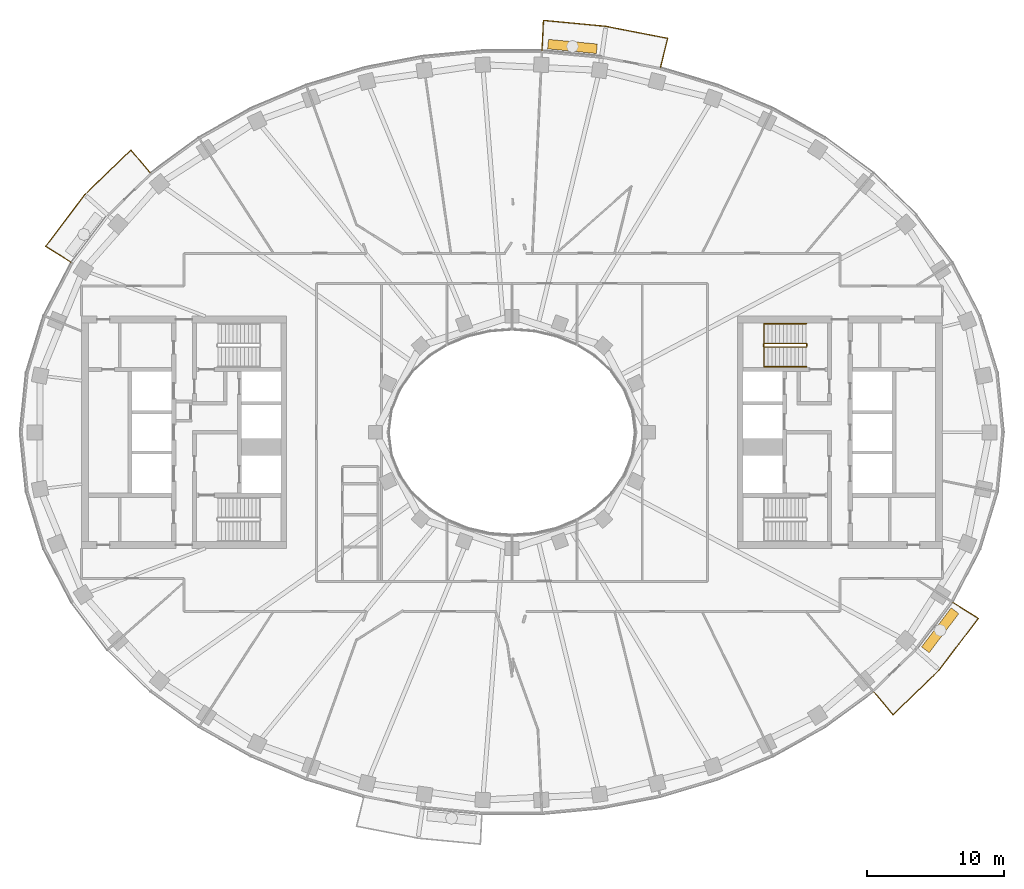
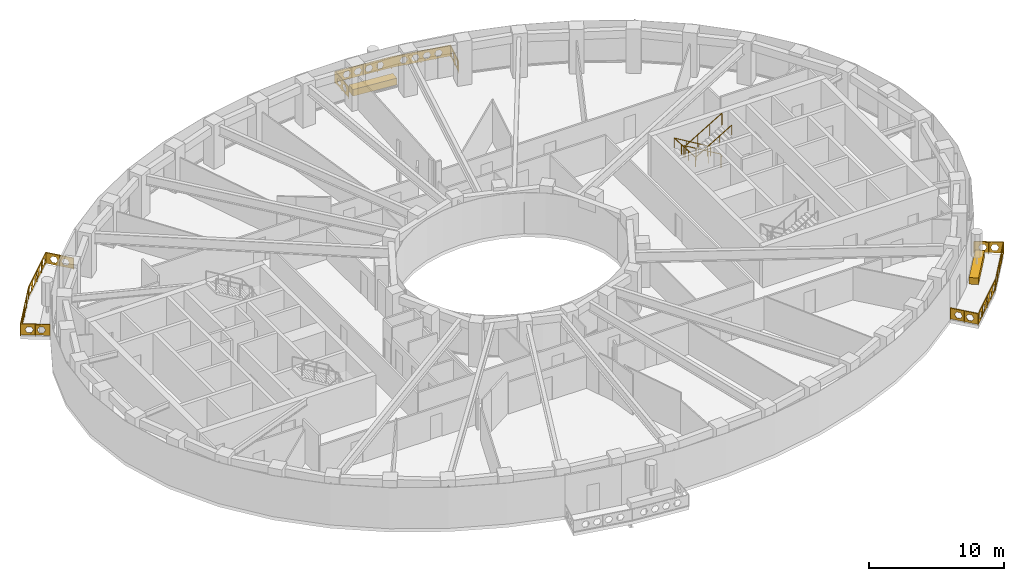
# One storey, part 15 of 16: 5 railings, 2 coverings.
"""IFC4 building model written with IfcOpenShell, lengths in metres."""

from ifc_helpers import new_model, si_unit, direction, frame, origin, origin_2d, place, context, subcontext, project, spatial, polyline, rectangle, outline, extrude, material, type_object, element, save


model = new_model("IFC4")

# Units and contexts
model_context = context("Model", 3, precision=1e-05, world=origin(), true_north=direction((0.0, 1.0)))
body_context = subcontext(model_context, "Body", "Model", "MODEL_VIEW")
ifc_project = project(units=[si_unit("LENGTHUNIT", "METRE"), si_unit("AREAUNIT", "SQUARE_METRE"), si_unit("VOLUMEUNIT", "CUBIC_METRE"), si_unit("PLANEANGLEUNIT", "RADIAN"), si_unit("MASSUNIT", "GRAM", prefix="KILO")], contexts=[model_context])

# Site, building, storey
site_placement = place(None, origin())
site = spatial("IfcSite", under=ifc_project, at=site_placement, CompositionType="ELEMENT")
building_placement = place(site_placement, origin())
building = spatial("IfcBuilding", under=site, at=building_placement, Name="Noorbagh Ring Tower", CompositionType="ELEMENT")
storey_placement = place(building_placement, frame((0.0, 0.0, 237.5)))
storey = spatial("IfcBuildingStorey", under=building, at=storey_placement, Name="L49", CompositionType="ELEMENT", Elevation=237.5)

# Railings
ifc_material_1 = material(Name="Stainless steel", Category="steel")
railing_type_1 = type_object("IfcRailingType", Name="CORE-STAIR-GUARD", PredefinedType="GUARDRAIL", material=ifc_material_1)
railing_1_placement = place(storey_placement, frame((21.580078125, 6.449951171875, 0.0)))
element("IfcRailing", 1, at=railing_1_placement, inside=storey, type_object=railing_type_1, Name="L49 ST3 stair guard", PredefinedType="GUARDRAIL", context=body_context, shape_type="SweptSolid", body=[
    extrude(rectangle(XDim=0.048095703125, YDim=0.048095703125, at=origin_2d()), frame((0.0, 0.0, 1.076171875), z_axis=(0.0, -1.0, 0.0), x_axis=(1.0, 0.0, 0.0)), (0.0, 0.0, 1.0), 0.14990234375),
    extrude(rectangle(XDim=0.048095703125, YDim=0.048095703125, at=origin_2d()), frame((0.0, -0.14990234375, 1.076171875), z_axis=(-0.188775798145, 0.754182335027, 0.628945707965), x_axis=(-0.970072785993, -0.242814311512, 0.0)), (0.0, 0.0, 1.0), 0.26513671875),
    extrude(rectangle(XDim=0.048095703125, YDim=0.048095703125, at=origin_2d()), frame((-0.050048828125, 0.050048828125, 1.24267578125), z_axis=(-0.859308565015, 0.0, 0.511457515432), x_axis=(0.0, -1.0, 0.0)), (0.0, 0.0, 1.0), 3.58447265625),
    extrude(rectangle(XDim=0.048095703125, YDim=0.048095703125, at=origin_2d()), frame((-3.130126953125, 0.050048828125, 3.076171875), z_axis=(-0.707106781187, -0.707106781187, 0.0), x_axis=(0.707106781187, -0.707106781187, 0.0)), (0.0, 0.0, 1.0), 0.07080078125),
    extrude(rectangle(XDim=0.048095703125, YDim=0.048095703125, at=origin_2d()), frame((-3.18017578125, 0.0, 3.076171875), z_axis=(0.0, -1.0, 0.0), x_axis=(1.0, 0.0, 0.0)), (0.0, 0.0, 1.0), 0.14990234375),
    extrude(rectangle(XDim=0.048095703125, YDim=0.048095703125, at=origin_2d()), frame((-3.18017578125, -0.14990234375, 3.076171875), z_axis=(0.27628659633, -0.27628659633, 0.920506074601), x_axis=(0.707106781187, 0.707106781187, 0.0)), (0.0, 0.0, 1.0), 0.18115234375),
    extrude(rectangle(XDim=0.048095703125, YDim=0.048095703125, at=origin_2d()), frame((-3.130126953125, -0.199951171875, 3.24267578125), z_axis=(0.859308565015, 0.0, 0.511457515432), x_axis=(0.0, 1.0, 0.0)), (0.0, 0.0, 1.0), 3.58447265625),
    extrude(rectangle(XDim=0.0419921875, YDim=0.0419921875, at=origin_2d()), origin(), (0.0, 0.0, 1.0), 1.052001953125),
    extrude(rectangle(XDim=0.0419921875, YDim=0.0419921875, at=origin_2d()), frame((-1.07666015625, 0.050048828125, 0.77783203125)), (0.0, 0.0, 1.0), 1.052001953125),
    extrude(rectangle(XDim=0.0419921875, YDim=0.0419921875, at=origin_2d()), frame((-2.103515625, 0.050048828125, 1.388916015625)), (0.0, 0.0, 1.0), 1.052001953125),
    extrude(rectangle(XDim=0.0419921875, YDim=0.0419921875, at=origin_2d()), frame((-3.130126953125, 0.050048828125, 2.0)), (0.0, 0.0, 1.0), 1.052001953125),
    extrude(rectangle(XDim=0.0419921875, YDim=0.0419921875, at=origin_2d()), frame((-3.130126953125, -0.199951171875, 2.166748046875)), (0.0, 0.0, 1.0), 1.052001953125),
    extrude(rectangle(XDim=0.0419921875, YDim=0.0419921875, at=origin_2d()), frame((-2.103515625, -0.199951171875, 2.77783203125)), (0.0, 0.0, 1.0), 1.052001953125),
    extrude(rectangle(XDim=0.0419921875, YDim=0.0419921875, at=origin_2d()), frame((-1.07666015625, -0.199951171875, 3.388916015625)), (0.0, 0.0, 1.0), 1.052001953125),
    extrude(rectangle(XDim=0.0419921875, YDim=0.0419921875, at=origin_2d()), frame((-0.050048828125, -0.199951171875, 4.0)), (0.0, 0.0, 1.0), 1.052001953125),
])
ifc_material_2 = material(Name="Stainless steel", Category="steel")
railing_type_2 = type_object("IfcRailingType", Name="CORE-STAIR-HANDRAIL", PredefinedType="HANDRAIL", material=ifc_material_2)
railing_2_placement = place(storey_placement, frame((21.530029296875, 7.949951171875, 0.166748046875)))
element("IfcRailing", 2, at=railing_2_placement, inside=storey, type_object=railing_type_2, Name="L49 ST3 stair handrail", PredefinedType="HANDRAIL", context=body_context, shape_type="SweptSolid", body=[
    extrude(rectangle(XDim=0.048095703125, YDim=0.048095703125, at=origin_2d()), frame((0.0, 0.0, 0.8759765625), z_axis=(-0.859308565015, 0.0, 0.511457515432), x_axis=(0.0, -1.0, 0.0)), (0.0, 0.0, 1.0), 3.58447265625),
    extrude(rectangle(XDim=0.048095703125, YDim=0.048095703125, at=origin_2d()), frame((-3.080078125, 0.0, 2.708984375), z_axis=(0.0, -0.998601747152, 0.052863509014), x_axis=(1.0, 0.0, 0.0)), (0.0, 0.0, 1.0), 3.154296875),
    extrude(rectangle(XDim=0.048095703125, YDim=0.048095703125, at=origin_2d()), frame((-3.080078125, -3.14990234375, 2.8759765625), z_axis=(0.859308565015, 0.0, 0.511457515432), x_axis=(0.0, 1.0, 0.0)), (0.0, 0.0, 1.0), 3.58447265625),
    extrude(rectangle(XDim=0.0419921875, YDim=0.0419921875, at=origin_2d()), origin(), (0.0, 0.0, 1.0), 0.851806640625),
    extrude(rectangle(XDim=0.0419921875, YDim=0.0419921875, at=origin_2d()), frame((-1.026611328125, 0.0, 0.611083984375)), (0.0, 0.0, 1.0), 0.851806640625),
    extrude(rectangle(XDim=0.0419921875, YDim=0.0419921875, at=origin_2d()), frame((-2.053466796875, 0.0, 1.22216796875)), (0.0, 0.0, 1.0), 0.851806640625),
    extrude(rectangle(XDim=0.0419921875, YDim=0.0419921875, at=origin_2d()), frame((-3.080078125, 0.0, 1.833251953125)), (0.0, 0.0, 1.0), 0.851806640625),
    extrude(rectangle(XDim=0.0419921875, YDim=0.0419921875, at=origin_2d()), frame((-3.080078125, -1.050048828125, 1.888916015625)), (0.0, 0.0, 1.0), 0.851806640625),
    extrude(rectangle(XDim=0.0419921875, YDim=0.0419921875, at=origin_2d()), frame((-3.080078125, -2.099853515625, 1.9443359375)), (0.0, 0.0, 1.0), 0.851806640625),
    extrude(rectangle(XDim=0.0419921875, YDim=0.0419921875, at=origin_2d()), frame((-3.080078125, -3.14990234375, 2.0)), (0.0, 0.0, 1.0), 0.851806640625),
    extrude(rectangle(XDim=0.0419921875, YDim=0.0419921875, at=origin_2d()), frame((-2.053466796875, -3.14990234375, 2.611083984375)), (0.0, 0.0, 1.0), 0.851806640625),
    extrude(rectangle(XDim=0.0419921875, YDim=0.0419921875, at=origin_2d()), frame((-1.026611328125, -3.14990234375, 3.22216796875)), (0.0, 0.0, 1.0), 0.851806640625),
    extrude(rectangle(XDim=0.0419921875, YDim=0.0419921875, at=origin_2d()), frame((0.0, -3.14990234375, 3.833251953125)), (0.0, 0.0, 1.0), 0.851806640625),
])
ifc_material_3 = material(Name="Steel S275 black powder-coated", Category="steel")
railing_type_3 = type_object("IfcRailingType", Name="ENV-GUARD", PredefinedType="GUARDRAIL", material=ifc_material_3)
railing_3_placement = place(storey_placement, frame((10.865234375, 26.6943359375, 0.0)))
element("IfcRailing", 3, at=railing_3_placement, inside=storey, type_object=railing_type_3, Name="Balcony guard BN03", PredefinedType="GUARDRAIL", context=body_context, shape_type="SweptSolid", body=[
    extrude(rectangle(XDim=0.048095703125, YDim=0.048095703125, at=origin_2d()), frame((0.0, 0.0, 1.076171875), z_axis=(0.239848558412, 0.970810315679, 0.0), x_axis=(-0.970810315679, 0.239848558412, 0.0)), (0.0, 0.0, 1.0), 2.20263671875),
    extrude(rectangle(XDim=0.048095703125, YDim=0.048095703125, at=origin_2d()), frame((0.5283203125, 2.138427734375, 1.076171875), z_axis=(-0.981625049064, 0.1908199755, 0.0), x_axis=(-0.1908199755, -0.981625049064, 0.0)), (0.0, 0.0, 1.0), 4.603271484375),
    extrude(rectangle(XDim=0.048095703125, YDim=0.048095703125, at=origin_2d()), frame((-3.990478515625, 3.016845703125, 1.076171875), z_axis=(-0.995477555764, 0.094997031379, 0.0), x_axis=(-0.094997031379, -0.995477555764, 0.0)), (0.0, 0.0, 1.0), 4.59765625),
    extrude(rectangle(XDim=0.048095703125, YDim=0.048095703125, at=origin_2d()), frame((-8.5673828125, 3.45361328125, 1.076171875), z_axis=(-0.047554616162, -0.998868639252, 0.0), x_axis=(0.998868639252, -0.047554616162, 0.0)), (0.0, 0.0, 1.0), 2.202392578125),
    extrude(rectangle(XDim=0.0419921875, YDim=0.0419921875, at=origin_2d()), origin(), (0.0, 0.0, 1.0), 1.052001953125),
    extrude(rectangle(XDim=0.0419921875, YDim=0.0419921875, at=origin_2d()), frame((0.26416015625, 1.0693359375, 0.0)), (0.0, 0.0, 1.0), 1.052001953125),
    extrude(rectangle(XDim=0.0419921875, YDim=0.0419921875, at=origin_2d()), frame((0.5283203125, 2.138427734375, 0.0)), (0.0, 0.0, 1.0), 1.052001953125),
    extrude(rectangle(XDim=0.0419921875, YDim=0.0419921875, at=origin_2d()), frame((-0.601318359375, 2.35791015625, 0.0)), (0.0, 0.0, 1.0), 1.052001953125),
    extrude(rectangle(XDim=0.0419921875, YDim=0.0419921875, at=origin_2d()), frame((-1.73095703125, 2.57763671875, 0.0)), (0.0, 0.0, 1.0), 1.052001953125),
    extrude(rectangle(XDim=0.0419921875, YDim=0.0419921875, at=origin_2d()), frame((-2.86083984375, 2.79736328125, 0.0)), (0.0, 0.0, 1.0), 1.052001953125),
    extrude(rectangle(XDim=0.0419921875, YDim=0.0419921875, at=origin_2d()), frame((-3.990478515625, 3.016845703125, 0.0)), (0.0, 0.0, 1.0), 1.052001953125),
    extrude(rectangle(XDim=0.0419921875, YDim=0.0419921875, at=origin_2d()), frame((-5.134765625, 3.1259765625, 0.0)), (0.0, 0.0, 1.0), 1.052001953125),
    extrude(rectangle(XDim=0.0419921875, YDim=0.0419921875, at=origin_2d()), frame((-6.27880859375, 3.2353515625, 0.0)), (0.0, 0.0, 1.0), 1.052001953125),
    extrude(rectangle(XDim=0.0419921875, YDim=0.0419921875, at=origin_2d()), frame((-7.423095703125, 3.344482421875, 0.0)), (0.0, 0.0, 1.0), 1.052001953125),
    extrude(rectangle(XDim=0.0419921875, YDim=0.0419921875, at=origin_2d()), frame((-8.5673828125, 3.45361328125, 0.0)), (0.0, 0.0, 1.0), 1.052001953125),
    extrude(rectangle(XDim=0.0419921875, YDim=0.0419921875, at=origin_2d()), frame((-8.61962890625, 2.353515625, 0.0)), (0.0, 0.0, 1.0), 1.052001953125),
    extrude(rectangle(XDim=0.0419921875, YDim=0.0419921875, at=origin_2d()), frame((-8.672119140625, 1.253662109375, 0.0)), (0.0, 0.0, 1.0), 1.052001953125),
    extrude(outline(polyline([(0.0, 0.10009765625), (2.20263671875, 0.10009765625), (2.20263671875, 1.031982421875), (0.0, 1.031982421875), (0.0, 0.10009765625)]), holes=[polyline([(0.96142578125, 0.56591796875), (0.806396484375, 0.83447265625), (0.496337890625, 0.83447265625), (0.34130859375, 0.56591796875), (0.496337890625, 0.297607421875), (0.806396484375, 0.297607421875), (0.96142578125, 0.56591796875)]), polyline([(1.861328125, 0.56591796875), (1.706298828125, 0.83447265625), (1.396240234375, 0.83447265625), (1.241455078125, 0.56591796875), (1.396240234375, 0.297607421875), (1.706298828125, 0.297607421875), (1.861328125, 0.56591796875)])]), frame((-0.009765625, 0.00244140625, 0.0), z_axis=(0.970810315679, -0.239848558412, 0.0), x_axis=(0.239848558412, 0.970810315679, 0.0)), (0.0, 0.0, 1.0), 0.02001953125),
    extrude(outline(polyline([(0.0, 0.10009765625), (4.603271484375, 0.10009765625), (4.603271484375, 1.031982421875), (0.0, 1.031982421875), (0.0, 0.10009765625)]), holes=[polyline([(1.26171875, 0.56591796875), (1.106689453125, 0.83447265625), (0.796630859375, 0.83447265625), (0.6416015625, 0.56591796875), (0.796630859375, 0.297607421875), (1.106689453125, 0.297607421875), (1.26171875, 0.56591796875)]), polyline([(2.16162109375, 0.56591796875), (2.006591796875, 0.83447265625), (1.69677734375, 0.83447265625), (1.541748046875, 0.56591796875), (1.69677734375, 0.297607421875), (2.006591796875, 0.297607421875), (2.16162109375, 0.56591796875)]), polyline([(3.061767578125, 0.56591796875), (2.90673828125, 0.83447265625), (2.5966796875, 0.83447265625), (2.441650390625, 0.56591796875), (2.5966796875, 0.297607421875), (2.90673828125, 0.297607421875), (3.061767578125, 0.56591796875)]), polyline([(3.961669921875, 0.56591796875), (3.806640625, 0.83447265625), (3.49658203125, 0.83447265625), (3.341796875, 0.56591796875), (3.49658203125, 0.297607421875), (3.806640625, 0.297607421875), (3.961669921875, 0.56591796875)])]), frame((0.5263671875, 2.128662109375, 0.0), z_axis=(0.1908199755, 0.981625049064, 0.0), x_axis=(-0.981625049064, 0.1908199755, 0.0)), (0.0, 0.0, 1.0), 0.02001953125),
    extrude(outline(polyline([(0.0, 0.10009765625), (4.59765625, 0.10009765625), (4.59765625, 1.031982421875), (0.0, 1.031982421875), (0.0, 0.10009765625)]), holes=[polyline([(1.2587890625, 0.56591796875), (1.103759765625, 0.83447265625), (0.7939453125, 0.83447265625), (0.638916015625, 0.56591796875), (0.7939453125, 0.297607421875), (1.103759765625, 0.297607421875), (1.2587890625, 0.56591796875)]), polyline([(2.158935546875, 0.56591796875), (2.00390625, 0.83447265625), (1.69384765625, 0.83447265625), (1.538818359375, 0.56591796875), (1.69384765625, 0.297607421875), (2.00390625, 0.297607421875), (2.158935546875, 0.56591796875)]), polyline([(3.058837890625, 0.56591796875), (2.90380859375, 0.83447265625), (2.59375, 0.83447265625), (2.43896484375, 0.56591796875), (2.59375, 0.297607421875), (2.90380859375, 0.297607421875), (3.058837890625, 0.56591796875)]), polyline([(3.958740234375, 0.56591796875), (3.803955078125, 0.83447265625), (3.493896484375, 0.83447265625), (3.3388671875, 0.56591796875), (3.493896484375, 0.297607421875), (3.803955078125, 0.297607421875), (3.958740234375, 0.56591796875)])]), frame((-3.991455078125, 3.0068359375, 0.0), z_axis=(0.094997031379, 0.995477555764, 0.0), x_axis=(-0.995477555764, 0.094997031379, 0.0)), (0.0, 0.0, 1.0), 0.02001953125),
    extrude(outline(polyline([(0.0, 0.10009765625), (2.202392578125, 0.10009765625), (2.202392578125, 1.031982421875), (0.0, 1.031982421875), (0.0, 0.10009765625)]), holes=[polyline([(0.961181640625, 0.56591796875), (0.80615234375, 0.83447265625), (0.496337890625, 0.83447265625), (0.34130859375, 0.56591796875), (0.496337890625, 0.297607421875), (0.80615234375, 0.297607421875), (0.961181640625, 0.56591796875)]), polyline([(1.861328125, 0.56591796875), (1.706298828125, 0.83447265625), (1.396240234375, 0.83447265625), (1.2412109375, 0.56591796875), (1.396240234375, 0.297607421875), (1.706298828125, 0.297607421875), (1.861328125, 0.56591796875)])]), frame((-8.557373046875, 3.453125, 0.0), z_axis=(-0.998868639252, 0.047554616162, 0.0), x_axis=(-0.047554616162, -0.998868639252, 0.0)), (0.0, 0.0, 1.0), 0.02001953125),
])
railing_4_placement = place(storey_placement, frame((-26.463134765625, 18.983154296875, 0.0)))
element("IfcRailing", 4, at=railing_4_placement, inside=storey, type_object=railing_type_3, Name="Balcony guard BN06", PredefinedType="GUARDRAIL", context=body_context, shape_type="SweptSolid", body=[
    extrude(rectangle(XDim=0.048095703125, YDim=0.048095703125, at=origin_2d()), frame((0.0, 0.0, 1.076171875), z_axis=(-0.646413574048, 0.762987215677, 0.0), x_axis=(-0.762987215677, -0.646413574048, 0.0)), (0.0, 0.0, 1.0), 2.205322265625),
    extrude(rectangle(XDim=0.048095703125, YDim=0.048095703125, at=origin_2d()), frame((-1.425537109375, 1.6826171875, 1.076171875), z_axis=(-0.717212632946, -0.696854388766, 0.0), x_axis=(0.696854388766, -0.717212632946, 0.0)), (0.0, 0.0, 1.0), 4.700927734375),
    extrude(rectangle(XDim=0.048095703125, YDim=0.048095703125, at=origin_2d()), frame((-4.797119140625, -1.59326171875, 1.076171875), z_axis=(-0.604001613322, -0.796983093362, 0.0), x_axis=(0.796983093362, -0.604001613322, 0.0)), (0.0, 0.0, 1.0), 4.7353515625),
    extrude(rectangle(XDim=0.048095703125, YDim=0.048095703125, at=origin_2d()), frame((-7.6572265625, -5.3671875, 1.076171875), z_axis=(0.844852397829, -0.534999463442, 0.0), x_axis=(0.534999463442, 0.844852397829, 0.0)), (0.0, 0.0, 1.0), 2.207763671875),
    extrude(rectangle(XDim=0.0419921875, YDim=0.0419921875, at=origin_2d()), origin(), (0.0, 0.0, 1.0), 1.052001953125),
    extrude(rectangle(XDim=0.0419921875, YDim=0.0419921875, at=origin_2d()), frame((-0.712890625, 0.84130859375, 0.0)), (0.0, 0.0, 1.0), 1.052001953125),
    extrude(rectangle(XDim=0.0419921875, YDim=0.0419921875, at=origin_2d()), frame((-1.425537109375, 1.6826171875, 0.0)), (0.0, 0.0, 1.0), 1.052001953125),
    extrude(rectangle(XDim=0.0419921875, YDim=0.0419921875, at=origin_2d()), frame((-2.2685546875, 0.86376953125, 0.0)), (0.0, 0.0, 1.0), 1.052001953125),
    extrude(rectangle(XDim=0.0419921875, YDim=0.0419921875, at=origin_2d()), frame((-3.111328125, 0.044677734375, 0.0)), (0.0, 0.0, 1.0), 1.052001953125),
    extrude(rectangle(XDim=0.0419921875, YDim=0.0419921875, at=origin_2d()), frame((-3.9541015625, -0.7744140625, 0.0)), (0.0, 0.0, 1.0), 1.052001953125),
    extrude(rectangle(XDim=0.0419921875, YDim=0.0419921875, at=origin_2d()), frame((-4.797119140625, -1.59326171875, 0.0)), (0.0, 0.0, 1.0), 1.052001953125),
    extrude(rectangle(XDim=0.0419921875, YDim=0.0419921875, at=origin_2d()), frame((-5.51220703125, -2.53662109375, 0.0)), (0.0, 0.0, 1.0), 1.052001953125),
    extrude(rectangle(XDim=0.0419921875, YDim=0.0419921875, at=origin_2d()), frame((-6.22705078125, -3.480224609375, 0.0)), (0.0, 0.0, 1.0), 1.052001953125),
    extrude(rectangle(XDim=0.0419921875, YDim=0.0419921875, at=origin_2d()), frame((-6.942138671875, -4.423828125, 0.0)), (0.0, 0.0, 1.0), 1.052001953125),
    extrude(rectangle(XDim=0.0419921875, YDim=0.0419921875, at=origin_2d()), frame((-7.6572265625, -5.3671875, 0.0)), (0.0, 0.0, 1.0), 1.052001953125),
    extrude(rectangle(XDim=0.0419921875, YDim=0.0419921875, at=origin_2d()), frame((-6.724609375, -5.957763671875, 0.0)), (0.0, 0.0, 1.0), 1.052001953125),
    extrude(rectangle(XDim=0.0419921875, YDim=0.0419921875, at=origin_2d()), frame((-5.7919921875, -6.54833984375, 0.0)), (0.0, 0.0, 1.0), 1.052001953125),
    extrude(outline(polyline([(0.0, 0.10009765625), (2.205322265625, 0.10009765625), (2.205322265625, 1.031982421875), (0.0, 1.031982421875), (0.0, 0.10009765625)]), holes=[polyline([(0.962646484375, 0.56591796875), (0.8076171875, 0.83447265625), (0.49755859375, 0.83447265625), (0.342529296875, 0.56591796875), (0.49755859375, 0.297607421875), (0.8076171875, 0.297607421875), (0.962646484375, 0.56591796875)]), polyline([(1.862548828125, 0.56591796875), (1.707763671875, 0.83447265625), (1.397705078125, 0.83447265625), (1.24267578125, 0.56591796875), (1.397705078125, 0.297607421875), (1.707763671875, 0.297607421875), (1.862548828125, 0.56591796875)])]), frame((-0.007568359375, -0.00634765625, 0.0), z_axis=(0.762987215677, 0.646413574048, 0.0), x_axis=(-0.646413574048, 0.762987215677, 0.0)), (0.0, 0.0, 1.0), 0.02001953125),
    extrude(outline(polyline([(0.0, 0.10009765625), (4.700927734375, 0.10009765625), (4.700927734375, 1.031982421875), (0.0, 1.031982421875), (0.0, 0.10009765625)]), holes=[polyline([(0.860595703125, 0.56591796875), (0.70556640625, 0.83447265625), (0.3955078125, 0.83447265625), (0.240478515625, 0.56591796875), (0.3955078125, 0.297607421875), (0.70556640625, 0.297607421875), (0.860595703125, 0.56591796875)]), polyline([(1.760498046875, 0.56591796875), (1.60546875, 0.83447265625), (1.29541015625, 0.83447265625), (1.140380859375, 0.56591796875), (1.29541015625, 0.297607421875), (1.60546875, 0.297607421875), (1.760498046875, 0.56591796875)]), polyline([(2.660400390625, 0.56591796875), (2.50537109375, 0.83447265625), (2.195556640625, 0.83447265625), (2.04052734375, 0.56591796875), (2.195556640625, 0.297607421875), (2.50537109375, 0.297607421875), (2.660400390625, 0.56591796875)]), polyline([(3.560546875, 0.56591796875), (3.405517578125, 0.83447265625), (3.095458984375, 0.83447265625), (2.9404296875, 0.56591796875), (3.095458984375, 0.297607421875), (3.405517578125, 0.297607421875), (3.560546875, 0.56591796875)]), polyline([(4.46044921875, 0.56591796875), (4.305419921875, 0.83447265625), (3.995361328125, 0.83447265625), (3.840576171875, 0.56591796875), (3.995361328125, 0.297607421875), (4.305419921875, 0.297607421875), (4.46044921875, 0.56591796875)])]), frame((-1.41845703125, 1.675537109375, 0.0), z_axis=(-0.696854388766, 0.717212632946, 0.0), x_axis=(-0.717212632946, -0.696854388766, 0.0)), (0.0, 0.0, 1.0), 0.02001953125),
    extrude(outline(polyline([(0.0, 0.10009765625), (4.7353515625, 0.10009765625), (4.7353515625, 1.031982421875), (0.0, 1.031982421875), (0.0, 0.10009765625)]), holes=[polyline([(0.877685546875, 0.56591796875), (0.72265625, 0.83447265625), (0.41259765625, 0.83447265625), (0.257568359375, 0.56591796875), (0.41259765625, 0.297607421875), (0.72265625, 0.297607421875), (0.877685546875, 0.56591796875)]), polyline([(1.777587890625, 0.56591796875), (1.62255859375, 0.83447265625), (1.312744140625, 0.83447265625), (1.15771484375, 0.56591796875), (1.312744140625, 0.297607421875), (1.62255859375, 0.297607421875), (1.777587890625, 0.56591796875)]), polyline([(2.677734375, 0.56591796875), (2.522705078125, 0.83447265625), (2.212646484375, 0.83447265625), (2.0576171875, 0.56591796875), (2.212646484375, 0.297607421875), (2.522705078125, 0.297607421875), (2.677734375, 0.56591796875)]), polyline([(3.57763671875, 0.56591796875), (3.422607421875, 0.83447265625), (3.112548828125, 0.83447265625), (2.95751953125, 0.56591796875), (3.112548828125, 0.297607421875), (3.422607421875, 0.297607421875), (3.57763671875, 0.56591796875)]), polyline([(4.4775390625, 0.56591796875), (4.32275390625, 0.83447265625), (4.0126953125, 0.83447265625), (3.857666015625, 0.56591796875), (4.0126953125, 0.297607421875), (4.32275390625, 0.297607421875), (4.4775390625, 0.56591796875)])]), frame((-4.7890625, -1.599365234375, 0.0), z_axis=(-0.796983093362, 0.604001613322, 0.0), x_axis=(-0.604001613322, -0.796983093362, 0.0)), (0.0, 0.0, 1.0), 0.02001953125),
    extrude(outline(polyline([(0.0, 0.10009765625), (2.207763671875, 0.10009765625), (2.207763671875, 1.031982421875), (0.0, 1.031982421875), (0.0, 0.10009765625)]), holes=[polyline([(0.9638671875, 0.56591796875), (0.808837890625, 0.83447265625), (0.498779296875, 0.83447265625), (0.343994140625, 0.56591796875), (0.498779296875, 0.297607421875), (0.808837890625, 0.297607421875), (0.9638671875, 0.56591796875)]), polyline([(1.86376953125, 0.56591796875), (1.708984375, 0.83447265625), (1.39892578125, 0.83447265625), (1.243896484375, 0.56591796875), (1.39892578125, 0.297607421875), (1.708984375, 0.297607421875), (1.86376953125, 0.56591796875)])]), frame((-7.65185546875, -5.358642578125, 0.0), z_axis=(-0.534999463442, -0.844852397829, 0.0), x_axis=(0.844852397829, -0.534999463442, 0.0)), (0.0, 0.0, 1.0), 0.02001953125),
])
railing_5_placement = place(storey_placement, frame((26.463134765625, -18.983154296875, 0.0)))
element("IfcRailing", 5, at=railing_5_placement, inside=storey, type_object=railing_type_3, Name="Balcony guard BS06", PredefinedType="GUARDRAIL", context=body_context, shape_type="SweptSolid", body=[
    extrude(rectangle(XDim=0.048095703125, YDim=0.048095703125, at=origin_2d()), frame((0.0, 0.0, 1.076171875), z_axis=(0.646413574048, -0.762987215677, 0.0), x_axis=(0.762987215677, 0.646413574048, 0.0)), (0.0, 0.0, 1.0), 2.205322265625),
    extrude(rectangle(XDim=0.048095703125, YDim=0.048095703125, at=origin_2d()), frame((1.425537109375, -1.6826171875, 1.076171875), z_axis=(0.717212632946, 0.696854388766, 0.0), x_axis=(-0.696854388766, 0.717212632946, 0.0)), (0.0, 0.0, 1.0), 4.700927734375),
    extrude(rectangle(XDim=0.048095703125, YDim=0.048095703125, at=origin_2d()), frame((4.797119140625, 1.59326171875, 1.076171875), z_axis=(0.604001613322, 0.796983093362, 0.0), x_axis=(-0.796983093362, 0.604001613322, 0.0)), (0.0, 0.0, 1.0), 4.7353515625),
    extrude(rectangle(XDim=0.048095703125, YDim=0.048095703125, at=origin_2d()), frame((7.6572265625, 5.3671875, 1.076171875), z_axis=(-0.844852397829, 0.534999463442, 0.0), x_axis=(-0.534999463442, -0.844852397829, 0.0)), (0.0, 0.0, 1.0), 2.207763671875),
    extrude(rectangle(XDim=0.0419921875, YDim=0.0419921875, at=origin_2d()), origin(), (0.0, 0.0, 1.0), 1.052001953125),
    extrude(rectangle(XDim=0.0419921875, YDim=0.0419921875, at=origin_2d()), frame((0.712890625, -0.84130859375, 0.0)), (0.0, 0.0, 1.0), 1.052001953125),
    extrude(rectangle(XDim=0.0419921875, YDim=0.0419921875, at=origin_2d()), frame((1.425537109375, -1.6826171875, 0.0)), (0.0, 0.0, 1.0), 1.052001953125),
    extrude(rectangle(XDim=0.0419921875, YDim=0.0419921875, at=origin_2d()), frame((2.2685546875, -0.86376953125, 0.0)), (0.0, 0.0, 1.0), 1.052001953125),
    extrude(rectangle(XDim=0.0419921875, YDim=0.0419921875, at=origin_2d()), frame((3.111328125, -0.044677734375, 0.0)), (0.0, 0.0, 1.0), 1.052001953125),
    extrude(rectangle(XDim=0.0419921875, YDim=0.0419921875, at=origin_2d()), frame((3.9541015625, 0.7744140625, 0.0)), (0.0, 0.0, 1.0), 1.052001953125),
    extrude(rectangle(XDim=0.0419921875, YDim=0.0419921875, at=origin_2d()), frame((4.797119140625, 1.59326171875, 0.0)), (0.0, 0.0, 1.0), 1.052001953125),
    extrude(rectangle(XDim=0.0419921875, YDim=0.0419921875, at=origin_2d()), frame((5.51220703125, 2.53662109375, 0.0)), (0.0, 0.0, 1.0), 1.052001953125),
    extrude(rectangle(XDim=0.0419921875, YDim=0.0419921875, at=origin_2d()), frame((6.22705078125, 3.480224609375, 0.0)), (0.0, 0.0, 1.0), 1.052001953125),
    extrude(rectangle(XDim=0.0419921875, YDim=0.0419921875, at=origin_2d()), frame((6.942138671875, 4.423828125, 0.0)), (0.0, 0.0, 1.0), 1.052001953125),
    extrude(rectangle(XDim=0.0419921875, YDim=0.0419921875, at=origin_2d()), frame((7.6572265625, 5.3671875, 0.0)), (0.0, 0.0, 1.0), 1.052001953125),
    extrude(rectangle(XDim=0.0419921875, YDim=0.0419921875, at=origin_2d()), frame((6.724609375, 5.957763671875, 0.0)), (0.0, 0.0, 1.0), 1.052001953125),
    extrude(rectangle(XDim=0.0419921875, YDim=0.0419921875, at=origin_2d()), frame((5.7919921875, 6.54833984375, 0.0)), (0.0, 0.0, 1.0), 1.052001953125),
    extrude(outline(polyline([(0.0, 0.10009765625), (2.205322265625, 0.10009765625), (2.205322265625, 1.031982421875), (0.0, 1.031982421875), (0.0, 0.10009765625)]), holes=[polyline([(0.962646484375, 0.56591796875), (0.8076171875, 0.83447265625), (0.49755859375, 0.83447265625), (0.342529296875, 0.56591796875), (0.49755859375, 0.297607421875), (0.8076171875, 0.297607421875), (0.962646484375, 0.56591796875)]), polyline([(1.862548828125, 0.56591796875), (1.707763671875, 0.83447265625), (1.397705078125, 0.83447265625), (1.24267578125, 0.56591796875), (1.397705078125, 0.297607421875), (1.707763671875, 0.297607421875), (1.862548828125, 0.56591796875)])]), frame((0.007568359375, 0.00634765625, 0.0), z_axis=(-0.762987215677, -0.646413574048, 0.0), x_axis=(0.646413574048, -0.762987215677, 0.0)), (0.0, 0.0, 1.0), 0.02001953125),
    extrude(outline(polyline([(0.0, 0.10009765625), (4.700927734375, 0.10009765625), (4.700927734375, 1.031982421875), (0.0, 1.031982421875), (0.0, 0.10009765625)]), holes=[polyline([(0.860595703125, 0.56591796875), (0.70556640625, 0.83447265625), (0.3955078125, 0.83447265625), (0.240478515625, 0.56591796875), (0.3955078125, 0.297607421875), (0.70556640625, 0.297607421875), (0.860595703125, 0.56591796875)]), polyline([(1.760498046875, 0.56591796875), (1.60546875, 0.83447265625), (1.29541015625, 0.83447265625), (1.140380859375, 0.56591796875), (1.29541015625, 0.297607421875), (1.60546875, 0.297607421875), (1.760498046875, 0.56591796875)]), polyline([(2.660400390625, 0.56591796875), (2.50537109375, 0.83447265625), (2.195556640625, 0.83447265625), (2.04052734375, 0.56591796875), (2.195556640625, 0.297607421875), (2.50537109375, 0.297607421875), (2.660400390625, 0.56591796875)]), polyline([(3.560546875, 0.56591796875), (3.405517578125, 0.83447265625), (3.095458984375, 0.83447265625), (2.9404296875, 0.56591796875), (3.095458984375, 0.297607421875), (3.405517578125, 0.297607421875), (3.560546875, 0.56591796875)]), polyline([(4.46044921875, 0.56591796875), (4.305419921875, 0.83447265625), (3.995361328125, 0.83447265625), (3.840576171875, 0.56591796875), (3.995361328125, 0.297607421875), (4.305419921875, 0.297607421875), (4.46044921875, 0.56591796875)])]), frame((1.41845703125, -1.675537109375, 0.0), z_axis=(0.696854388766, -0.717212632946, 0.0), x_axis=(0.717212632946, 0.696854388766, 0.0)), (0.0, 0.0, 1.0), 0.02001953125),
    extrude(outline(polyline([(0.0, 0.10009765625), (4.7353515625, 0.10009765625), (4.7353515625, 1.031982421875), (0.0, 1.031982421875), (0.0, 0.10009765625)]), holes=[polyline([(0.877685546875, 0.56591796875), (0.72265625, 0.83447265625), (0.41259765625, 0.83447265625), (0.257568359375, 0.56591796875), (0.41259765625, 0.297607421875), (0.72265625, 0.297607421875), (0.877685546875, 0.56591796875)]), polyline([(1.777587890625, 0.56591796875), (1.62255859375, 0.83447265625), (1.312744140625, 0.83447265625), (1.15771484375, 0.56591796875), (1.312744140625, 0.297607421875), (1.62255859375, 0.297607421875), (1.777587890625, 0.56591796875)]), polyline([(2.677734375, 0.56591796875), (2.522705078125, 0.83447265625), (2.212646484375, 0.83447265625), (2.0576171875, 0.56591796875), (2.212646484375, 0.297607421875), (2.522705078125, 0.297607421875), (2.677734375, 0.56591796875)]), polyline([(3.57763671875, 0.56591796875), (3.422607421875, 0.83447265625), (3.112548828125, 0.83447265625), (2.95751953125, 0.56591796875), (3.112548828125, 0.297607421875), (3.422607421875, 0.297607421875), (3.57763671875, 0.56591796875)]), polyline([(4.4775390625, 0.56591796875), (4.32275390625, 0.83447265625), (4.0126953125, 0.83447265625), (3.857666015625, 0.56591796875), (4.0126953125, 0.297607421875), (4.32275390625, 0.297607421875), (4.4775390625, 0.56591796875)])]), frame((4.7890625, 1.599365234375, 0.0), z_axis=(0.796983093362, -0.604001613322, 0.0), x_axis=(0.604001613322, 0.796983093362, 0.0)), (0.0, 0.0, 1.0), 0.02001953125),
    extrude(outline(polyline([(0.0, 0.10009765625), (2.207763671875, 0.10009765625), (2.207763671875, 1.031982421875), (0.0, 1.031982421875), (0.0, 0.10009765625)]), holes=[polyline([(0.9638671875, 0.56591796875), (0.808837890625, 0.83447265625), (0.498779296875, 0.83447265625), (0.343994140625, 0.56591796875), (0.498779296875, 0.297607421875), (0.808837890625, 0.297607421875), (0.9638671875, 0.56591796875)]), polyline([(1.86376953125, 0.56591796875), (1.708984375, 0.83447265625), (1.39892578125, 0.83447265625), (1.243896484375, 0.56591796875), (1.39892578125, 0.297607421875), (1.708984375, 0.297607421875), (1.86376953125, 0.56591796875)])]), frame((7.65185546875, 5.358642578125, 0.0), z_axis=(0.534999463442, 0.844852397829, 0.0), x_axis=(-0.844852397829, 0.534999463442, 0.0)), (0.0, 0.0, 1.0), 0.02001953125),
])

# Coverings
ifc_material_4 = material(Name="Concrete C30/37 planter with soil", Category="concrete")
covering_type = type_object("IfcCoveringType", Name="ENV-PLANTER", PredefinedType="CLADDING", material=ifc_material_4)
covering_1_placement = place(storey_placement, frame((4.423828125, 28.2373046875, 0.0), z_axis=(0.0, 0.0, 1.0), x_axis=(-0.995476497323, 0.095008122171, 0.0)))
element("IfcCovering", 6, at=covering_1_placement, inside=storey, type_object=covering_type, Name="PLANTER BN03", ObjectType="PLANTER", PredefinedType="CLADDING", context=body_context, shape_type="SweptSolid", body=[
    extrude(rectangle(XDim=3.58642578125, YDim=0.699951171875, at=origin_2d()), origin(), (0.0, 0.0, 1.0), 0.60009765625),
])
covering_2_placement = place(storey_placement, frame((31.329833984375, -14.4833984375, 0.0), z_axis=(0.0, 0.0, 1.0), x_axis=(0.604020184358, 0.796969018776, 0.0)))
element("IfcCovering", 7, at=covering_2_placement, inside=storey, type_object=covering_type, Name="PLANTER BS06", ObjectType="PLANTER", PredefinedType="CLADDING", context=body_context, shape_type="SweptSolid", body=[
    extrude(rectangle(XDim=3.583251953125, YDim=0.699951171875, at=origin_2d()), origin(), (0.0, 0.0, 1.0), 0.60009765625),
])

save(model, "model.ifc")
